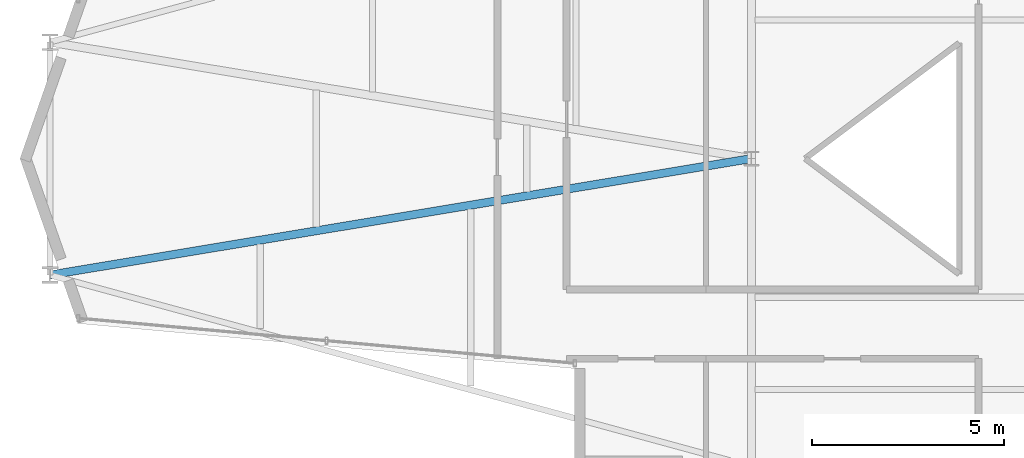
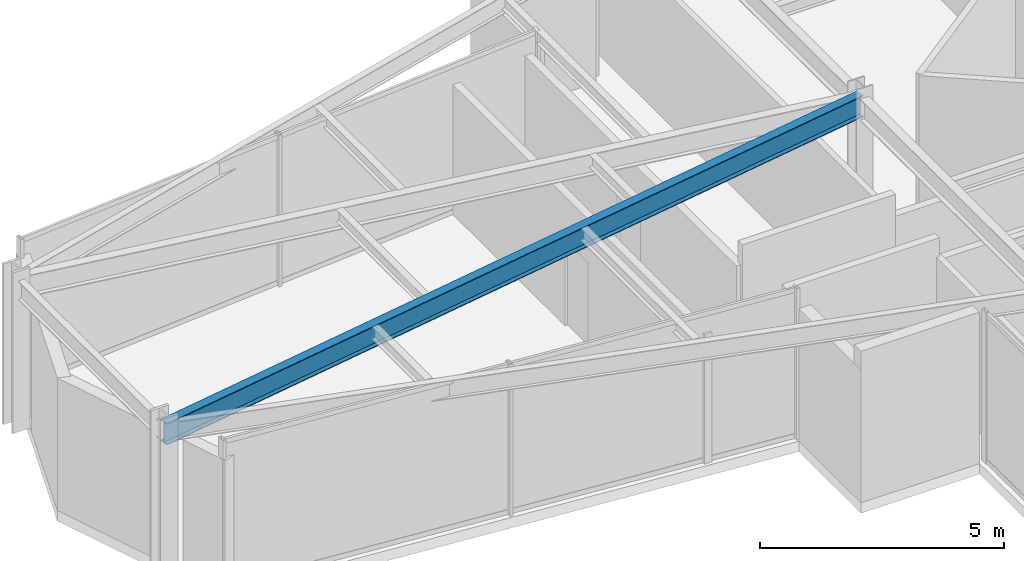
# One storey, part 5 of 23: 1 beam.
"""IFC4 building model written with IfcOpenShell, lengths in metres."""

from ifc_helpers import new_model, si_unit, direction, frame, origin, origin_2d, place, context, subcontext, project, spatial, i_section, extrude, material, material_profile, profile_set, type_object, element, save


model = new_model("IFC4")

# Units and contexts
model_context = context("Model", 3, precision=1e-05, world=origin(), true_north=direction((0.0, 1.0)))
body_context = subcontext(model_context, "Body", "Model", "MODEL_VIEW")
ifc_project = project(units=[si_unit("LENGTHUNIT", "METRE"), si_unit("AREAUNIT", "SQUARE_METRE"), si_unit("VOLUMEUNIT", "CUBIC_METRE"), si_unit("PLANEANGLEUNIT", "RADIAN"), si_unit("MASSUNIT", "GRAM", prefix="KILO")], contexts=[model_context])

# Site, building, storey
site_placement = place(None, origin())
site = spatial("IfcSite", under=ifc_project, at=site_placement, CompositionType="ELEMENT")
building_placement = place(site_placement, origin())
building = spatial("IfcBuilding", under=site, at=building_placement, Name="Veymaron Broadcast Tower", CompositionType="ELEMENT")
storey_placement = place(building_placement, frame((0.0, 0.0, 195.89990234375)))
storey = spatial("IfcBuildingStorey", under=building, at=storey_placement, Name="L45", CompositionType="ELEMENT", Elevation=195.89990234375)

# Beam
ifc_material = material(Name="Structural steel ASTM A992 Gr 50", Category="steel")
ifc_material_profile = material_profile(ifc_material, i_section(OverallWidth=0.2099609375, OverallDepth=0.537109375, WebThickness=0.010986328125, FlangeThickness=0.017333984375, at=origin_2d()), Name="W530X101")
ifc_profile_set = profile_set([ifc_material_profile], Name="Structural steel ASTM A992 Gr 50")
beam_type = type_object("IfcBeamType", Name="BM-FG3", PredefinedType="BEAM", material=ifc_profile_set)
beam_placement = place(storey_placement, frame((12.97509765625, 20.97509765625, 3.521484375), z_axis=(0.986504066629, 0.163736759843, 0.0), x_axis=(-0.163736759843, 0.986504066629, 0.0)))
element("IfcBeam", 1, at=beam_placement, inside=storey, type_object=beam_type, Name="L45 primary structural floor girder", PredefinedType="BEAM", context=body_context, shape_type="SweptSolid", body=[
    extrude(i_section(OverallWidth=0.2099609375, OverallDepth=0.537109375, WebThickness=0.010986328125, FlangeThickness=0.017333984375, at=origin_2d()), origin(), (0.0, 0.0, 1.0), 18.47412109375),
])

save(model, "model.ifc")
